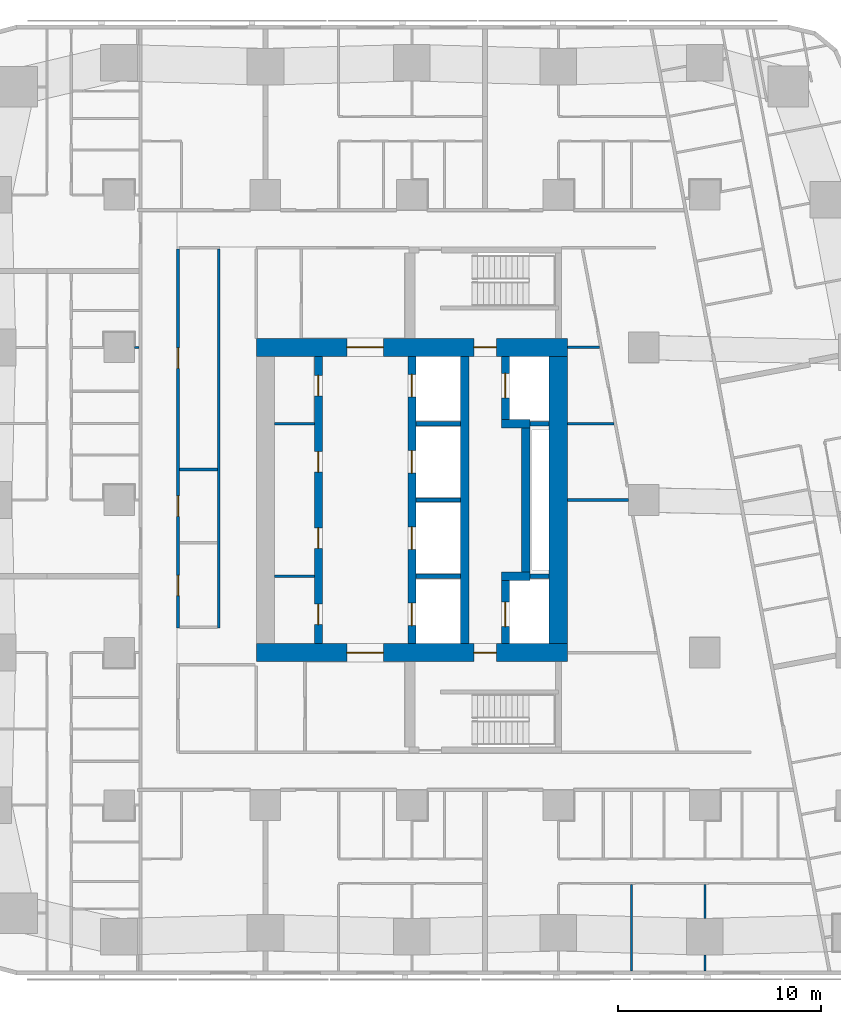
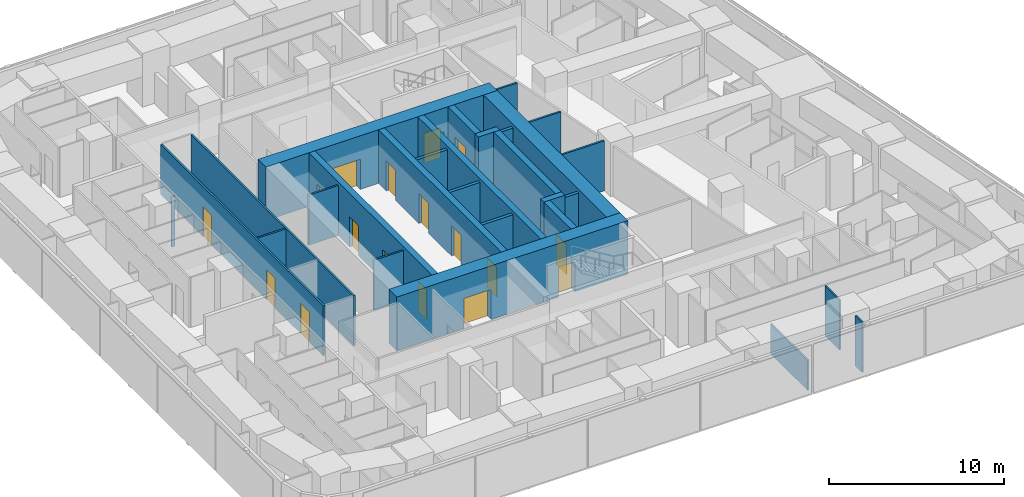
# One storey, part 5 of 15: 28 walls, 17 doors, 17 openings.
"""IFC4 building model written with IfcOpenShell, lengths in metres."""

from ifc_helpers import new_model, si_unit, direction, frame, frame_2d, origin, place, context, subcontext, project, spatial, rectangle, extrude, material, layer, layer_set, type_object, element, fill, save


model = new_model("IFC4")

# Units and contexts
model_context = context("Model", 3, precision=1e-05, world=origin(), true_north=direction((0.0, 1.0)))
body_context = subcontext(model_context, "Body", "Model", "MODEL_VIEW")
ifc_project = project(units=[si_unit("LENGTHUNIT", "METRE"), si_unit("AREAUNIT", "SQUARE_METRE"), si_unit("VOLUMEUNIT", "CUBIC_METRE"), si_unit("PLANEANGLEUNIT", "RADIAN"), si_unit("MASSUNIT", "GRAM", prefix="KILO")], contexts=[model_context])

# Site, building, storey
site_placement = place(None, origin())
site = spatial("IfcSite", under=ifc_project, at=site_placement, CompositionType="ELEMENT")
building_placement = place(site_placement, origin())
building = spatial("IfcBuilding", under=site, at=building_placement, Name="Sheger Commons Tower", CompositionType="ELEMENT")
storey_placement = place(building_placement, frame((0.0, 0.0, 154.550048828125)))
storey = spatial("IfcBuildingStorey", under=building, at=storey_placement, Name="L39", CompositionType="ELEMENT", Elevation=154.550048828125)

# Wall, openings, doors
ifc_material_1 = material(Name="Concrete C50/60", Category="concrete")
ifc_layer_1 = layer(ifc_material_1, 0.39990234375)
ifc_layer_set_1 = layer_set([ifc_layer_1], Name="CORE INNER WALL 400")
wall_type_1 = type_object("IfcWallType", Name="CORE INNER WALL 400", PredefinedType="SHEAR", material=ifc_layer_set_1)
wall_1_placement = place(storey_placement, frame((17.0, 15.449951171875, 0.0), z_axis=(0.0, 0.0, 1.0), x_axis=(0.0, 1.0, 0.0)))
wall_1 = element("IfcWall", 1, at=wall_1_placement, inside=storey, type_object=wall_type_1, Name="Core inner wall A L39", PredefinedType="SHEAR", context=body_context, shape_type="SweptSolid", body=[
    extrude(rectangle(XDim=14.10009765625, YDim=0.39990234375, at=frame_2d((7.050048828125, 0.0))), origin(), (0.0, 0.0, 1.0), 3.75),
])
opening_1_placement = place(wall_1_placement, frame((0.925048828125, 0.0, 0.0)))
opening_1 = element("IfcOpeningElement", 2, at=opening_1_placement, cuts=wall_1, Name="Opening D4", PredefinedType="OPENING", context=body_context, shape_type="SweptSolid", body=[
    extrude(rectangle(XDim=1.0, YDim=2.10009765625, at=frame_2d((0.5, 1.050048828125))), frame((0.0, 0.2099609375, 0.0), z_axis=(0.0, -1.0, 0.0), x_axis=(1.0, 0.0, 0.0)), (0.0, 0.0, 1.0), 0.419921875),
])
opening_2_placement = place(wall_1_placement, frame((4.675048828125, 0.0, 0.0)))
opening_2 = element("IfcOpeningElement", 3, at=opening_2_placement, cuts=wall_1, Name="Opening D4", PredefinedType="OPENING", context=body_context, shape_type="SweptSolid", body=[
    extrude(rectangle(XDim=1.0, YDim=2.10009765625, at=frame_2d((0.5, 1.050048828125))), frame((0.0, 0.2099609375, 0.0), z_axis=(0.0, -1.0, 0.0), x_axis=(1.0, 0.0, 0.0)), (0.0, 0.0, 1.0), 0.419921875),
])
opening_3_placement = place(wall_1_placement, frame((8.425048828125, 0.0, 0.0)))
opening_3 = element("IfcOpeningElement", 4, at=opening_3_placement, cuts=wall_1, Name="Opening D4", PredefinedType="OPENING", context=body_context, shape_type="SweptSolid", body=[
    extrude(rectangle(XDim=1.0, YDim=2.10009765625, at=frame_2d((0.5, 1.050048828125))), frame((0.0, 0.2099609375, 0.0), z_axis=(0.0, -1.0, 0.0), x_axis=(1.0, 0.0, 0.0)), (0.0, 0.0, 1.0), 0.419921875),
])
opening_4_placement = place(wall_1_placement, frame((12.175048828125, 0.0, 0.0)))
opening_4 = element("IfcOpeningElement", 5, at=opening_4_placement, cuts=wall_1, Name="Opening D4", PredefinedType="OPENING", context=body_context, shape_type="SweptSolid", body=[
    extrude(rectangle(XDim=1.0, YDim=2.10009765625, at=frame_2d((0.5, 1.050048828125))), frame((0.0, 0.2099609375, 0.0), z_axis=(0.0, -1.0, 0.0), x_axis=(1.0, 0.0, 0.0)), (0.0, 0.0, 1.0), 0.419921875),
])
ifc_material_2 = material(Name="Steel door set, fire rated", Category="steel")
door_type_1 = type_object("IfcDoorType", Name="SERVICE DOOR 1000x2100", OperationType="NOTDEFINED", PredefinedType="DOOR", material=ifc_material_2)
door_1_placement = place(opening_1_placement, origin())
door_1 = element("IfcDoor", 6, at=door_1_placement, inside=storey, type_object=door_type_1, Name="Estate store door", OperationType="SINGLE_SWING_LEFT", OverallHeight=2.10009765625, OverallWidth=1.0, PredefinedType="DOOR", context=body_context, shape_type="SweptSolid", body=[
    extrude(rectangle(XDim=1.0, YDim=2.10009765625, at=frame_2d((0.5, 1.050048828125))), frame((0.0, 0.02490234375, 0.0), z_axis=(0.0, -1.0, 0.0), x_axis=(1.0, 0.0, 0.0)), (0.0, 0.0, 1.0), 0.050048828125),
])
fill(opening_1, door_1)
door_2_placement = place(opening_2_placement, origin())
door_2 = element("IfcDoor", 7, at=door_2_placement, inside=storey, type_object=door_type_1, Name="Bulky waste store door", OperationType="SINGLE_SWING_LEFT", OverallHeight=2.10009765625, OverallWidth=1.0, PredefinedType="DOOR", context=body_context, shape_type="SweptSolid", body=[
    extrude(rectangle(XDim=1.0, YDim=2.10009765625, at=frame_2d((0.5, 1.050048828125))), frame((0.0, 0.02490234375, 0.0), z_axis=(0.0, -1.0, 0.0), x_axis=(1.0, 0.0, 0.0)), (0.0, 0.0, 1.0), 0.050048828125),
])
fill(opening_2, door_2)
door_3_placement = place(opening_3_placement, origin())
door_3 = element("IfcDoor", 8, at=door_3_placement, inside=storey, type_object=door_type_1, Name="Bulky waste store door", OperationType="SINGLE_SWING_RIGHT", OverallHeight=2.10009765625, OverallWidth=1.0, PredefinedType="DOOR", context=body_context, shape_type="SweptSolid", body=[
    extrude(rectangle(XDim=1.0, YDim=2.10009765625, at=frame_2d((0.5, 1.050048828125))), frame((0.0, 0.02490234375, 0.0), z_axis=(0.0, -1.0, 0.0), x_axis=(1.0, 0.0, 0.0)), (0.0, 0.0, 1.0), 0.050048828125),
])
fill(opening_3, door_3)
door_4_placement = place(opening_4_placement, origin())
door_4 = element("IfcDoor", 9, at=door_4_placement, inside=storey, type_object=door_type_1, Name="Staff WC door", OperationType="SINGLE_SWING_RIGHT", OverallHeight=2.10009765625, OverallWidth=1.0, PredefinedType="DOOR", context=body_context, shape_type="SweptSolid", body=[
    extrude(rectangle(XDim=1.0, YDim=2.10009765625, at=frame_2d((0.5, 1.050048828125))), frame((0.0, 0.02490234375, 0.0), z_axis=(0.0, -1.0, 0.0), x_axis=(1.0, 0.0, 0.0)), (0.0, 0.0, 1.0), 0.050048828125),
])
fill(opening_4, door_4)

wall_2_placement = place(storey_placement, frame((21.60009765625, 15.449951171875, 0.0), z_axis=(0.0, 0.0, 1.0), x_axis=(0.0, 1.0, 0.0)))
wall_2 = element("IfcWall", 10, at=wall_2_placement, inside=storey, type_object=wall_type_1, Name="Core inner wall L L39", PredefinedType="SHEAR", context=body_context, shape_type="SweptSolid", body=[
    extrude(rectangle(XDim=14.10009765625, YDim=0.39990234375, at=frame_2d((7.050048828125, 0.0))), origin(), (0.0, 0.0, 1.0), 3.75),
])
opening_5_placement = place(wall_2_placement, frame((0.875, 0.0, 0.0)))
opening_5 = element("IfcOpeningElement", 11, at=opening_5_placement, cuts=wall_2, Name="Opening LD", PredefinedType="OPENING", context=body_context, shape_type="SweptSolid", body=[
    extrude(rectangle(XDim=1.10009765625, YDim=2.10009765625, at=frame_2d((0.550048828125, 1.050048828125))), frame((0.0, 0.2099609375, 0.0), z_axis=(0.0, -1.0, 0.0), x_axis=(1.0, 0.0, 0.0)), (0.0, 0.0, 1.0), 0.419921875),
])
opening_6_placement = place(wall_2_placement, frame((4.625, 0.0, 0.0)))
opening_6 = element("IfcOpeningElement", 12, at=opening_6_placement, cuts=wall_2, Name="Opening LD", PredefinedType="OPENING", context=body_context, shape_type="SweptSolid", body=[
    extrude(rectangle(XDim=1.10009765625, YDim=2.10009765625, at=frame_2d((0.550048828125, 1.050048828125))), frame((0.0, 0.2099609375, 0.0), z_axis=(0.0, -1.0, 0.0), x_axis=(1.0, 0.0, 0.0)), (0.0, 0.0, 1.0), 0.419921875),
])
opening_7_placement = place(wall_2_placement, frame((8.375, 0.0, 0.0)))
opening_7 = element("IfcOpeningElement", 13, at=opening_7_placement, cuts=wall_2, Name="Opening LD", PredefinedType="OPENING", context=body_context, shape_type="SweptSolid", body=[
    extrude(rectangle(XDim=1.10009765625, YDim=2.10009765625, at=frame_2d((0.550048828125, 1.050048828125))), frame((0.0, 0.2099609375, 0.0), z_axis=(0.0, -1.0, 0.0), x_axis=(1.0, 0.0, 0.0)), (0.0, 0.0, 1.0), 0.419921875),
])
opening_8_placement = place(wall_2_placement, frame((12.125, 0.0, 0.0)))
opening_8 = element("IfcOpeningElement", 14, at=opening_8_placement, cuts=wall_2, Name="Opening LD", PredefinedType="OPENING", context=body_context, shape_type="SweptSolid", body=[
    extrude(rectangle(XDim=1.10009765625, YDim=2.10009765625, at=frame_2d((0.550048828125, 1.050048828125))), frame((0.0, 0.2099609375, 0.0), z_axis=(0.0, -1.0, 0.0), x_axis=(1.0, 0.0, 0.0)), (0.0, 0.0, 1.0), 0.419921875),
])
ifc_material_3 = material(Name="Steel door set, fire rated", Category="steel")
door_type_2 = type_object("IfcDoorType", Name="LIFT LANDING DOOR 1100x2100", OperationType="DOUBLE_DOOR_SLIDING", PredefinedType="DOOR", material=ifc_material_3)
door_5_placement = place(opening_5_placement, origin())
door_5 = element("IfcDoor", 15, at=door_5_placement, inside=storey, type_object=door_type_2, Name="Lift LB1 landing door", OperationType="DOUBLE_DOOR_SLIDING", OverallHeight=2.10009765625, OverallWidth=1.10009765625, PredefinedType="DOOR", context=body_context, shape_type="SweptSolid", body=[
    extrude(rectangle(XDim=1.10009765625, YDim=2.10009765625, at=frame_2d((0.550048828125, 1.050048828125))), frame((0.0, 0.02490234375, 0.0), z_axis=(0.0, -1.0, 0.0), x_axis=(1.0, 0.0, 0.0)), (0.0, 0.0, 1.0), 0.050048828125),
])
fill(opening_5, door_5)
door_6_placement = place(opening_6_placement, origin())
door_6 = element("IfcDoor", 16, at=door_6_placement, inside=storey, type_object=door_type_2, Name="Lift LB2 landing door", OperationType="DOUBLE_DOOR_SLIDING", OverallHeight=2.10009765625, OverallWidth=1.10009765625, PredefinedType="DOOR", context=body_context, shape_type="SweptSolid", body=[
    extrude(rectangle(XDim=1.10009765625, YDim=2.10009765625, at=frame_2d((0.550048828125, 1.050048828125))), frame((0.0, 0.02490234375, 0.0), z_axis=(0.0, -1.0, 0.0), x_axis=(1.0, 0.0, 0.0)), (0.0, 0.0, 1.0), 0.050048828125),
])
fill(opening_6, door_6)
door_7_placement = place(opening_7_placement, origin())
door_7 = element("IfcDoor", 17, at=door_7_placement, inside=storey, type_object=door_type_2, Name="Lift LB3 landing door", OperationType="DOUBLE_DOOR_SLIDING", OverallHeight=2.10009765625, OverallWidth=1.10009765625, PredefinedType="DOOR", context=body_context, shape_type="SweptSolid", body=[
    extrude(rectangle(XDim=1.10009765625, YDim=2.10009765625, at=frame_2d((0.550048828125, 1.050048828125))), frame((0.0, 0.02490234375, 0.0), z_axis=(0.0, -1.0, 0.0), x_axis=(1.0, 0.0, 0.0)), (0.0, 0.0, 1.0), 0.050048828125),
])
fill(opening_7, door_7)
door_8_placement = place(opening_8_placement, origin())
door_8 = element("IfcDoor", 18, at=door_8_placement, inside=storey, type_object=door_type_2, Name="Lift LB4 landing door", OperationType="DOUBLE_DOOR_SLIDING", OverallHeight=2.10009765625, OverallWidth=1.10009765625, PredefinedType="DOOR", context=body_context, shape_type="SweptSolid", body=[
    extrude(rectangle(XDim=1.10009765625, YDim=2.10009765625, at=frame_2d((0.550048828125, 1.050048828125))), frame((0.0, 0.02490234375, 0.0), z_axis=(0.0, -1.0, 0.0), x_axis=(1.0, 0.0, 0.0)), (0.0, 0.0, 1.0), 0.050048828125),
])
fill(opening_8, door_8)

# Wall
wall_3_placement = place(storey_placement, frame((24.199951171875, 15.449951171875, 0.0), z_axis=(0.0, 0.0, 1.0), x_axis=(0.0, 1.0, 0.0)))
element("IfcWall", 19, at=wall_3_placement, inside=storey, type_object=wall_type_1, Name="Core inner wall B L39", PredefinedType="SHEAR", context=body_context, shape_type="SweptSolid", body=[
    extrude(rectangle(XDim=14.10009765625, YDim=0.39990234375, at=frame_2d((7.050048828125, 0.0))), origin(), (0.0, 0.0, 1.0), 3.75),
])

# Wall, opening, door
wall_4_placement = place(storey_placement, frame((26.199951171875, 15.449951171875, 0.0), z_axis=(0.0, 0.0, 1.0), x_axis=(0.0, 1.0, 0.0)))
wall_4 = element("IfcWall", 20, at=wall_4_placement, inside=storey, type_object=wall_type_1, Name="Core inner wall F L39", PredefinedType="SHEAR", context=body_context, shape_type="SweptSolid", body=[
    extrude(rectangle(XDim=3.10009765625, YDim=0.39990234375, at=frame_2d((1.550048828125, 0.0))), origin(), (0.0, 0.0, 1.0), 3.75),
])
opening_9_placement = place(wall_4_placement, frame((0.824951171875, 0.0, 0.0)))
opening_9 = element("IfcOpeningElement", 21, at=opening_9_placement, cuts=wall_4, Name="Opening LD2", PredefinedType="OPENING", context=body_context, shape_type="SweptSolid", body=[
    extrude(rectangle(XDim=1.199951171875, YDim=2.10009765625, at=frame_2d((0.60009765625, 1.050048828125))), frame((0.0, 0.2099609375, 0.0), z_axis=(0.0, -1.0, 0.0), x_axis=(1.0, 0.0, 0.0)), (0.0, 0.0, 1.0), 0.419921875),
])
ifc_material_4 = material(Name="Steel door set, fire rated", Category="steel")
door_type_3 = type_object("IfcDoorType", Name="FIREFIGHTING LIFT LANDING DOOR 1200x2100", OperationType="DOUBLE_DOOR_SLIDING", PredefinedType="DOOR", material=ifc_material_4)
door_9_placement = place(opening_9_placement, origin())
door_9 = element("IfcDoor", 22, at=door_9_placement, inside=storey, type_object=door_type_3, Name="Lift FL1 landing door", OperationType="DOUBLE_DOOR_SLIDING", OverallHeight=2.10009765625, OverallWidth=1.199951171875, PredefinedType="DOOR", context=body_context, shape_type="SweptSolid", body=[
    extrude(rectangle(XDim=1.199951171875, YDim=2.10009765625, at=frame_2d((0.60009765625, 1.050048828125))), frame((0.0, 0.02490234375, 0.0), z_axis=(0.0, -1.0, 0.0), x_axis=(1.0, 0.0, 0.0)), (0.0, 0.0, 1.0), 0.050048828125),
])
fill(opening_9, door_9)

# Walls
wall_5_placement = place(storey_placement, frame((26.0, 18.75, 0.0), z_axis=(0.0, 0.0, 1.0), x_axis=(1.0, 0.0, 0.0)))
element("IfcWall", 23, at=wall_5_placement, inside=storey, type_object=wall_type_1, Name="Core inner wall F south return L39", PredefinedType="SHEAR", context=body_context, shape_type="SweptSolid", body=[
    extrude(rectangle(XDim=1.39990234375, YDim=0.39990234375, at=frame_2d((0.699951171875, 0.0))), origin(), (0.0, 0.0, 1.0), 3.75),
])
wall_6_placement = place(storey_placement, frame((27.199951171875, 18.949951171875, 0.0), z_axis=(0.0, 0.0, 1.0), x_axis=(0.0, 1.0, 0.0)))
element("IfcWall", 24, at=wall_6_placement, inside=storey, type_object=wall_type_1, Name="Core inner wall F middle L39", PredefinedType="SHEAR", context=body_context, shape_type="SweptSolid", body=[
    extrude(rectangle(XDim=7.10009765625, YDim=0.39990234375, at=frame_2d((3.550048828125, 0.0))), origin(), (0.0, 0.0, 1.0), 3.75),
])
wall_7_placement = place(storey_placement, frame((26.0, 26.25, 0.0), z_axis=(0.0, 0.0, 1.0), x_axis=(1.0, 0.0, 0.0)))
element("IfcWall", 25, at=wall_7_placement, inside=storey, type_object=wall_type_1, Name="Core inner wall F north return L39", PredefinedType="SHEAR", context=body_context, shape_type="SweptSolid", body=[
    extrude(rectangle(XDim=1.39990234375, YDim=0.39990234375, at=frame_2d((0.699951171875, 0.0))), origin(), (0.0, 0.0, 1.0), 3.75),
])

# Wall, opening, door
wall_8_placement = place(storey_placement, frame((26.199951171875, 26.449951171875, 0.0), z_axis=(0.0, 0.0, 1.0), x_axis=(0.0, 1.0, 0.0)))
wall_8 = element("IfcWall", 26, at=wall_8_placement, inside=storey, type_object=wall_type_1, Name="Core inner wall F north L39", PredefinedType="SHEAR", context=body_context, shape_type="SweptSolid", body=[
    extrude(rectangle(XDim=3.10009765625, YDim=0.39990234375, at=frame_2d((1.550048828125, 0.0))), origin(), (0.0, 0.0, 1.0), 3.75),
])
opening_10_placement = place(wall_8_placement, frame((1.074951171875, 0.0, 0.0)))
opening_10 = element("IfcOpeningElement", 27, at=opening_10_placement, cuts=wall_8, Name="Opening LD2", PredefinedType="OPENING", context=body_context, shape_type="SweptSolid", body=[
    extrude(rectangle(XDim=1.199951171875, YDim=2.10009765625, at=frame_2d((0.60009765625, 1.050048828125))), frame((0.0, 0.2099609375, 0.0), z_axis=(0.0, -1.0, 0.0), x_axis=(1.0, 0.0, 0.0)), (0.0, 0.0, 1.0), 0.419921875),
])
door_10_placement = place(opening_10_placement, origin())
door_10 = element("IfcDoor", 28, at=door_10_placement, inside=storey, type_object=door_type_3, Name="Lift FL2 landing door", OperationType="DOUBLE_DOOR_SLIDING", OverallHeight=2.10009765625, OverallWidth=1.199951171875, PredefinedType="DOOR", context=body_context, shape_type="SweptSolid", body=[
    extrude(rectangle(XDim=1.199951171875, YDim=2.10009765625, at=frame_2d((0.60009765625, 1.050048828125))), frame((0.0, 0.02490234375, 0.0), z_axis=(0.0, -1.0, 0.0), x_axis=(1.0, 0.0, 0.0)), (0.0, 0.0, 1.0), 0.050048828125),
])
fill(opening_10, door_10)

# Wall, openings, doors
ifc_material_5 = material(Name="Concrete C50/60", Category="concrete")
ifc_layer_2 = layer(ifc_material_5, 0.89990234375)
ifc_layer_set_2 = layer_set([ifc_layer_2], Name="CORE WALL 900")
wall_type_2 = type_object("IfcWallType", Name="CORE WALL 900", PredefinedType="SHEAR", material=ifc_layer_set_2)
wall_9_placement = place(storey_placement, frame((13.949951171875, 15.0, 0.0), z_axis=(0.0, 0.0, 1.0), x_axis=(1.0, 0.0, 0.0)))
wall_9 = element("IfcWall", 29, at=wall_9_placement, inside=storey, type_object=wall_type_2, Name="Core wall south L39", PredefinedType="SHEAR", context=body_context, shape_type="SweptSolid", body=[
    extrude(rectangle(XDim=15.300048828125, YDim=0.89990234375, at=frame_2d((7.64990234375, 0.0))), origin(), (0.0, 0.0, 1.0), 3.75),
])
opening_11_placement = place(wall_9_placement, frame((4.449951171875, 0.0, 0.0)))
opening_11 = element("IfcOpeningElement", 30, at=opening_11_placement, cuts=wall_9, Name="Opening D6", PredefinedType="OPENING", context=body_context, shape_type="SweptSolid", body=[
    extrude(rectangle(XDim=1.800048828125, YDim=2.10009765625, at=frame_2d((0.89990234375, 1.050048828125))), frame((0.0, 0.4599609375, 0.0), z_axis=(0.0, -1.0, 0.0), x_axis=(1.0, 0.0, 0.0)), (0.0, 0.0, 1.0), 0.919921875),
])
opening_12_placement = place(wall_9_placement, frame((10.699951171875, 0.0, 0.0)))
opening_12 = element("IfcOpeningElement", 31, at=opening_12_placement, cuts=wall_9, Name="Opening D5", PredefinedType="OPENING", context=body_context, shape_type="SweptSolid", body=[
    extrude(rectangle(XDim=1.10009765625, YDim=2.10009765625, at=frame_2d((0.550048828125, 1.050048828125))), frame((0.0, 0.4599609375, 0.0), z_axis=(0.0, -1.0, 0.0), x_axis=(1.0, 0.0, 0.0)), (0.0, 0.0, 1.0), 0.919921875),
])
ifc_material_6 = material(Name="Steel door set, fire rated", Category="steel")
door_type_4 = type_object("IfcDoorType", Name="LOBBY DOUBLE DOOR 1800x2100", OperationType="DOUBLE_DOOR_SINGLE_SWING", PredefinedType="DOOR", material=ifc_material_6)
door_11_placement = place(opening_11_placement, origin())
door_11 = element("IfcDoor", 32, at=door_11_placement, inside=storey, type_object=door_type_4, Name="Lift lobby door", OperationType="DOUBLE_DOOR_SINGLE_SWING", OverallHeight=2.10009765625, OverallWidth=1.800048828125, PredefinedType="DOOR", context=body_context, shape_type="SweptSolid", body=[
    extrude(rectangle(XDim=1.800048828125, YDim=2.10009765625, at=frame_2d((0.89990234375, 1.050048828125))), frame((0.0, 0.02490234375, 0.0), z_axis=(0.0, -1.0, 0.0), x_axis=(1.0, 0.0, 0.0)), (0.0, 0.0, 1.0), 0.050048828125),
])
fill(opening_11, door_11)
ifc_material_7 = material(Name="Steel door set, fire rated", Category="steel")
door_type_5 = type_object("IfcDoorType", Name="STAIR DOOR 1100x2100", OperationType="NOTDEFINED", PredefinedType="DOOR", material=ifc_material_7)
door_12_placement = place(opening_12_placement, origin())
door_12 = element("IfcDoor", 33, at=door_12_placement, inside=storey, type_object=door_type_5, Name="Fire-fighting lobby door", OperationType="SINGLE_SWING_LEFT", OverallHeight=2.10009765625, OverallWidth=1.10009765625, PredefinedType="DOOR", context=body_context, shape_type="SweptSolid", body=[
    extrude(rectangle(XDim=1.10009765625, YDim=2.10009765625, at=frame_2d((0.550048828125, 1.050048828125))), frame((0.0, 0.02490234375, 0.0), z_axis=(0.0, -1.0, 0.0), x_axis=(1.0, 0.0, 0.0)), (0.0, 0.0, 1.0), 0.050048828125),
])
fill(opening_12, door_12)

wall_10_placement = place(storey_placement, frame((13.949951171875, 30.0, 0.0), z_axis=(0.0, 0.0, 1.0), x_axis=(1.0, 0.0, 0.0)))
wall_10 = element("IfcWall", 34, at=wall_10_placement, inside=storey, type_object=wall_type_2, Name="Core wall north L39", PredefinedType="SHEAR", context=body_context, shape_type="SweptSolid", body=[
    extrude(rectangle(XDim=15.300048828125, YDim=0.89990234375, at=frame_2d((7.64990234375, 0.0))), origin(), (0.0, 0.0, 1.0), 3.75),
])
opening_13_placement = place(wall_10_placement, frame((4.449951171875, 0.0, 0.0)))
opening_13 = element("IfcOpeningElement", 35, at=opening_13_placement, cuts=wall_10, Name="Opening D6", PredefinedType="OPENING", context=body_context, shape_type="SweptSolid", body=[
    extrude(rectangle(XDim=1.800048828125, YDim=2.10009765625, at=frame_2d((0.89990234375, 1.050048828125))), frame((0.0, 0.4599609375, 0.0), z_axis=(0.0, -1.0, 0.0), x_axis=(1.0, 0.0, 0.0)), (0.0, 0.0, 1.0), 0.919921875),
])
opening_14_placement = place(wall_10_placement, frame((10.699951171875, 0.0, 0.0)))
opening_14 = element("IfcOpeningElement", 36, at=opening_14_placement, cuts=wall_10, Name="Opening D5", PredefinedType="OPENING", context=body_context, shape_type="SweptSolid", body=[
    extrude(rectangle(XDim=1.10009765625, YDim=2.10009765625, at=frame_2d((0.550048828125, 1.050048828125))), frame((0.0, 0.4599609375, 0.0), z_axis=(0.0, -1.0, 0.0), x_axis=(1.0, 0.0, 0.0)), (0.0, 0.0, 1.0), 0.919921875),
])
door_13_placement = place(opening_13_placement, origin())
door_13 = element("IfcDoor", 37, at=door_13_placement, inside=storey, type_object=door_type_4, Name="Lift lobby door", OperationType="DOUBLE_DOOR_SINGLE_SWING", OverallHeight=2.10009765625, OverallWidth=1.800048828125, PredefinedType="DOOR", context=body_context, shape_type="SweptSolid", body=[
    extrude(rectangle(XDim=1.800048828125, YDim=2.10009765625, at=frame_2d((0.89990234375, 1.050048828125))), frame((0.0, 0.02490234375, 0.0), z_axis=(0.0, -1.0, 0.0), x_axis=(1.0, 0.0, 0.0)), (0.0, 0.0, 1.0), 0.050048828125),
])
fill(opening_13, door_13)
door_14_placement = place(opening_14_placement, origin())
door_14 = element("IfcDoor", 38, at=door_14_placement, inside=storey, type_object=door_type_5, Name="Fire-fighting lobby door", OperationType="SINGLE_SWING_LEFT", OverallHeight=2.10009765625, OverallWidth=1.10009765625, PredefinedType="DOOR", context=body_context, shape_type="SweptSolid", body=[
    extrude(rectangle(XDim=1.10009765625, YDim=2.10009765625, at=frame_2d((0.550048828125, 1.050048828125))), frame((0.0, 0.02490234375, 0.0), z_axis=(0.0, -1.0, 0.0), x_axis=(1.0, 0.0, 0.0)), (0.0, 0.0, 1.0), 0.050048828125),
])
fill(opening_14, door_14)

# Walls
wall_11_placement = place(storey_placement, frame((28.800048828125, 15.449951171875, 0.0), z_axis=(0.0, 0.0, 1.0), x_axis=(0.0, 1.0, 0.0)))
element("IfcWall", 39, at=wall_11_placement, inside=storey, type_object=wall_type_2, Name="Core wall east L39", PredefinedType="SHEAR", context=body_context, shape_type="SweptSolid", body=[
    extrude(rectangle(XDim=14.10009765625, YDim=0.89990234375, at=frame_2d((7.050048828125, 0.0))), origin(), (0.0, 0.0, 1.0), 3.75),
])
ifc_material_8 = material(Name="Gypsum board on steel studs", Category="steel")
ifc_layer_3 = layer(ifc_material_8, 0.10009765625)
ifc_layer_set_3 = layer_set([ifc_layer_3], Name="PARTITION 100")
wall_type_3 = type_object("IfcWallType", Name="PARTITION 100", PredefinedType="PARTITIONING", material=ifc_layer_set_3)
wall_12_placement = place(storey_placement, frame((7.950927734375, 30.0, 0.0), z_axis=(0.0, 0.0, 1.0), x_axis=(1.0, 0.0, 0.0)))
element("IfcWall", 40, at=wall_12_placement, inside=storey, type_object=wall_type_3, Name="Partition L39", PredefinedType="PARTITIONING", context=body_context, shape_type="SweptSolid", body=[
    extrude(rectangle(XDim=0.22412109375, YDim=0.10009765625, at=frame_2d((0.112060546875, 0.0))), origin(), (0.0, 0.0, 1.0), 3.5),
])
wall_13_placement = place(storey_placement, frame((32.39990234375, -0.64990234375, 0.0), z_axis=(0.0, 0.0, 1.0), x_axis=(0.0, 1.0, 0.0)))
element("IfcWall", 41, at=wall_13_placement, inside=storey, type_object=wall_type_3, Name="Partition L39", PredefinedType="PARTITIONING", context=body_context, shape_type="SweptSolid", body=[
    extrude(rectangle(XDim=4.25, YDim=0.10009765625, at=frame_2d((2.125, 0.0))), origin(), (0.0, 0.0, 1.0), 2.099853515625),
])
wall_14_placement = place(storey_placement, frame((36.0, -0.64990234375, 0.0), z_axis=(0.0, 0.0, 1.0), x_axis=(0.0, 1.0, 0.0)))
element("IfcWall", 42, at=wall_14_placement, inside=storey, type_object=wall_type_3, Name="Partition L39", PredefinedType="PARTITIONING", context=body_context, shape_type="SweptSolid", body=[
    extrude(rectangle(XDim=0.77392578125, YDim=0.10009765625, at=frame_2d((0.386962890625, 0.0))), origin(), (0.0, 0.0, 1.0), 3.5),
])
wall_15_placement = place(storey_placement, frame((36.0, 1.926025390625, 0.0), z_axis=(0.0, 0.0, 1.0), x_axis=(0.0, 1.0, 0.0)))
element("IfcWall", 43, at=wall_15_placement, inside=storey, type_object=wall_type_3, Name="Partition L39", PredefinedType="PARTITIONING", context=body_context, shape_type="SweptSolid", body=[
    extrude(rectangle(XDim=1.674072265625, YDim=0.10009765625, at=frame_2d((0.8369140625, 0.0))), origin(), (0.0, 0.0, 1.0), 3.5),
])

# Wall, openings, doors
ifc_material_9 = material(Name="Gypsum board on steel studs, two layers each side, fire rated", Category="steel")
ifc_layer_4 = layer(ifc_material_9, 0.125)
ifc_layer_set_4 = layer_set([ifc_layer_4], Name="SERVICE WALL 125")
wall_type_4 = type_object("IfcWallType", Name="SERVICE WALL 125", PredefinedType="PARTITIONING", material=ifc_layer_set_4)
wall_16_placement = place(storey_placement, frame((10.10009765625, 16.199951171875, 0.0), z_axis=(0.0, 0.0, 1.0), x_axis=(0.0, 1.0, 0.0)))
wall_16 = element("IfcWall", 44, at=wall_16_placement, inside=storey, type_object=wall_type_4, Name="Service room wall L39", PredefinedType="PARTITIONING", context=body_context, shape_type="SweptSolid", body=[
    extrude(rectangle(XDim=18.637939453125, YDim=0.125, at=frame_2d((9.31884765625, 0.0))), origin(), (0.0, 0.0, 1.0), 3.5),
])
opening_15_placement = place(wall_16_placement, frame((1.60009765625, 0.0, 0.0)))
opening_15 = element("IfcOpeningElement", 45, at=opening_15_placement, cuts=wall_16, Name="Opening D4", PredefinedType="OPENING", context=body_context, shape_type="SweptSolid", body=[
    extrude(rectangle(XDim=1.0, YDim=2.10009765625, at=frame_2d((0.5, 1.050048828125))), frame((0.0, 0.072509765625, 0.0), z_axis=(0.0, -1.0, 0.0), x_axis=(1.0, 0.0, 0.0)), (0.0, 0.0, 1.0), 0.14501953125),
])
opening_16_placement = place(wall_16_placement, frame((5.5, 0.0, 0.0)))
opening_16 = element("IfcOpeningElement", 46, at=opening_16_placement, cuts=wall_16, Name="Opening D4", PredefinedType="OPENING", context=body_context, shape_type="SweptSolid", body=[
    extrude(rectangle(XDim=1.0, YDim=2.10009765625, at=frame_2d((0.5, 1.050048828125))), frame((0.0, 0.072509765625, 0.0), z_axis=(0.0, -1.0, 0.0), x_axis=(1.0, 0.0, 0.0)), (0.0, 0.0, 1.0), 0.14501953125),
])
opening_17_placement = place(wall_16_placement, frame((12.77490234375, 0.0, 0.0)))
opening_17 = element("IfcOpeningElement", 47, at=opening_17_placement, cuts=wall_16, Name="Opening D4", PredefinedType="OPENING", context=body_context, shape_type="SweptSolid", body=[
    extrude(rectangle(XDim=1.0, YDim=2.10009765625, at=frame_2d((0.5, 1.050048828125))), frame((0.0, 0.072509765625, 0.0), z_axis=(0.0, -1.0, 0.0), x_axis=(1.0, 0.0, 0.0)), (0.0, 0.0, 1.0), 0.14501953125),
])
door_15_placement = place(opening_15_placement, origin())
door_15 = element("IfcDoor", 48, at=door_15_placement, inside=storey, type_object=door_type_1, Name="Bicycle and pram store door", OperationType="SINGLE_SWING_RIGHT", OverallHeight=2.10009765625, OverallWidth=1.0, PredefinedType="DOOR", context=body_context, shape_type="SweptSolid", body=[
    extrude(rectangle(XDim=1.0, YDim=2.10009765625, at=frame_2d((0.5, 1.050048828125))), frame((0.0, 0.02490234375, 0.0), z_axis=(0.0, -1.0, 0.0), x_axis=(1.0, 0.0, 0.0)), (0.0, 0.0, 1.0), 0.050048828125),
])
fill(opening_15, door_15)
door_16_placement = place(opening_16_placement, origin())
door_16 = element("IfcDoor", 49, at=door_16_placement, inside=storey, type_object=door_type_1, Name="Residents' store door", OperationType="SINGLE_SWING_RIGHT", OverallHeight=2.10009765625, OverallWidth=1.0, PredefinedType="DOOR", context=body_context, shape_type="SweptSolid", body=[
    extrude(rectangle(XDim=1.0, YDim=2.10009765625, at=frame_2d((0.5, 1.050048828125))), frame((0.0, 0.02490234375, 0.0), z_axis=(0.0, -1.0, 0.0), x_axis=(1.0, 0.0, 0.0)), (0.0, 0.0, 1.0), 0.050048828125),
])
fill(opening_16, door_16)
door_17_placement = place(opening_17_placement, origin())
door_17 = element("IfcDoor", 50, at=door_17_placement, inside=storey, type_object=door_type_1, Name="Cleaner's store door", OperationType="SINGLE_SWING_LEFT", OverallHeight=2.10009765625, OverallWidth=1.0, PredefinedType="DOOR", context=body_context, shape_type="SweptSolid", body=[
    extrude(rectangle(XDim=1.0, YDim=2.10009765625, at=frame_2d((0.5, 1.050048828125))), frame((0.0, 0.02490234375, 0.0), z_axis=(0.0, -1.0, 0.0), x_axis=(1.0, 0.0, 0.0)), (0.0, 0.0, 1.0), 0.050048828125),
])
fill(opening_17, door_17)

# Walls
wall_17_placement = place(storey_placement, frame((10.162109375, 24.0, 0.0), z_axis=(0.0, 0.0, 1.0), x_axis=(1.0, 0.0, 0.0)))
element("IfcWall", 51, at=wall_17_placement, inside=storey, type_object=wall_type_4, Name="Service room wall L39", PredefinedType="PARTITIONING", context=body_context, shape_type="SweptSolid", body=[
    extrude(rectangle(XDim=1.875, YDim=0.125, at=frame_2d((0.9375, 0.0))), origin(), (0.0, 0.0, 1.0), 3.5),
])
wall_18_placement = place(storey_placement, frame((12.10009765625, 16.199951171875, 0.0), z_axis=(0.0, 0.0, 1.0), x_axis=(0.0, 1.0, 0.0)))
element("IfcWall", 52, at=wall_18_placement, inside=storey, type_object=wall_type_4, Name="Service room wall L39", PredefinedType="PARTITIONING", context=body_context, shape_type="SweptSolid", body=[
    extrude(rectangle(XDim=18.636962890625, YDim=0.125, at=frame_2d((9.318359375, 0.0))), origin(), (0.0, 0.0, 1.0), 3.5),
])
wall_19_placement = place(storey_placement, frame((29.25, 22.5, 0.0), z_axis=(0.0, 0.0, 1.0), x_axis=(1.0, 0.0, 0.0)))
element("IfcWall", 53, at=wall_19_placement, inside=storey, type_object=wall_type_4, Name="Service room wall L39", PredefinedType="PARTITIONING", context=body_context, shape_type="SweptSolid", body=[
    extrude(rectangle(XDim=2.99609375, YDim=0.125, at=frame_2d((1.498046875, 0.0))), origin(), (0.0, 0.0, 1.0), 3.5),
])
wall_20_placement = place(storey_placement, frame((29.25, 26.25, 0.0), z_axis=(0.0, 0.0, 1.0), x_axis=(1.0, 0.0, 0.0)))
element("IfcWall", 54, at=wall_20_placement, inside=storey, type_object=wall_type_4, Name="Service room wall L39", PredefinedType="PARTITIONING", context=body_context, shape_type="SweptSolid", body=[
    extrude(rectangle(XDim=2.2880859375, YDim=0.125, at=frame_2d((1.14404296875, 0.0))), origin(), (0.0, 0.0, 1.0), 3.5),
])
wall_21_placement = place(storey_placement, frame((29.25, 30.0, 0.0), z_axis=(0.0, 0.0, 1.0), x_axis=(1.0, 0.0, 0.0)))
element("IfcWall", 55, at=wall_21_placement, inside=storey, type_object=wall_type_4, Name="Service room wall L39", PredefinedType="PARTITIONING", context=body_context, shape_type="SweptSolid", body=[
    extrude(rectangle(XDim=1.5791015625, YDim=0.125, at=frame_2d((0.78955078125, 0.0))), origin(), (0.0, 0.0, 1.0), 3.5),
])
for number, where, z_axis, x_axis, name in (
    (56, (14.85009765625, 18.75, 0.0), (0.0, 0.0, 1.0), (1.0, 0.0, 0.0), "Service room wall L39"),
    (57, (14.85009765625, 26.25, 0.0), (0.0, 0.0, 1.0), (1.0, 0.0, 0.0), "Service room wall L39"),
):
    element("IfcWall", number, at=place(storey_placement, frame(where, z_axis=z_axis, x_axis=x_axis)), inside=storey, type_object=wall_type_4, Name=name, PredefinedType="PARTITIONING", context=body_context, shape_type="SweptSolid", body=[
        extrude(rectangle(XDim=1.949951171875, YDim=0.125, at=frame_2d((0.97509765625, 0.0))), origin(), (0.0, 0.0, 1.0), 3.5),
    ])
ifc_material_10 = material(Name="Hollow concrete block masonry", Category="masonry")
ifc_layer_5 = layer(ifc_material_10, 0.199951171875)
ifc_layer_set_5 = layer_set([ifc_layer_5], Name="SHAFT WALL 200")
wall_type_5 = type_object("IfcWallType", Name="SHAFT WALL 200", PredefinedType="SOLIDWALL", material=ifc_layer_set_5)
for number, where, z_axis, x_axis, name in (
    (58, (21.800048828125, 18.75, 0.0), (0.0, 0.0, 1.0), (1.0, 0.0, 0.0), "Lift shaft wall L39"),
    (59, (21.800048828125, 22.5, 0.0), (0.0, 0.0, 1.0), (1.0, 0.0, 0.0), "Lift shaft wall L39"),
    (60, (21.800048828125, 26.25, 0.0), (0.0, 0.0, 1.0), (1.0, 0.0, 0.0), "Lift shaft wall L39"),
):
    element("IfcWall", number, at=place(storey_placement, frame(where, z_axis=z_axis, x_axis=x_axis)), inside=storey, type_object=wall_type_5, Name=name, PredefinedType="SOLIDWALL", context=body_context, shape_type="SweptSolid", body=[
        extrude(rectangle(XDim=2.199951171875, YDim=0.199951171875, at=frame_2d((1.10009765625, 0.0))), origin(), (0.0, 0.0, 1.0), 3.5),
    ])
for number, where, z_axis, x_axis, name in (
    (61, (27.39990234375, 18.75, 0.0), (0.0, 0.0, 1.0), (1.0, 0.0, 0.0), "Lift shaft wall L39"),
    (62, (27.39990234375, 26.25, 0.0), (0.0, 0.0, 1.0), (1.0, 0.0, 0.0), "Lift shaft wall L39"),
):
    element("IfcWall", number, at=place(storey_placement, frame(where, z_axis=z_axis, x_axis=x_axis)), inside=storey, type_object=wall_type_5, Name=name, PredefinedType="SOLIDWALL", context=body_context, shape_type="SweptSolid", body=[
        extrude(rectangle(XDim=0.9501953125, YDim=0.199951171875, at=frame_2d((0.47509765625, 0.0))), origin(), (0.0, 0.0, 1.0), 3.5),
    ])

save(model, "model.ifc")
